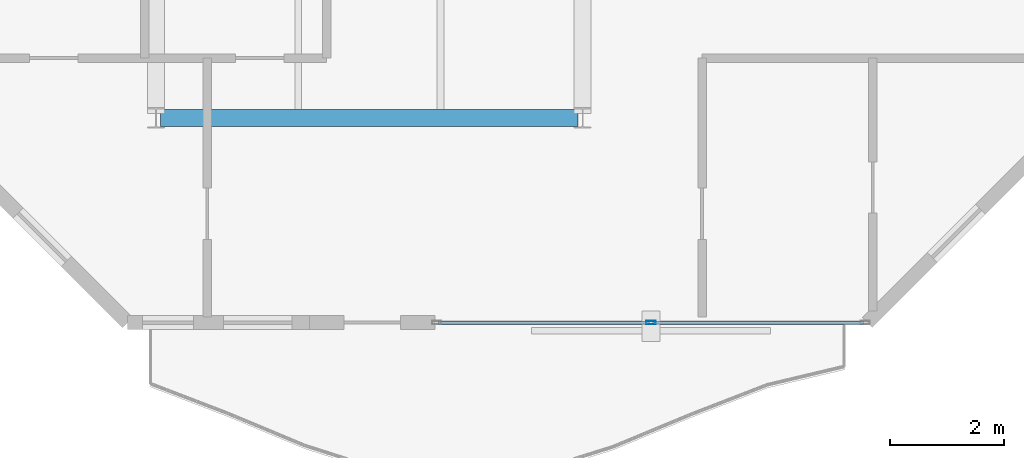
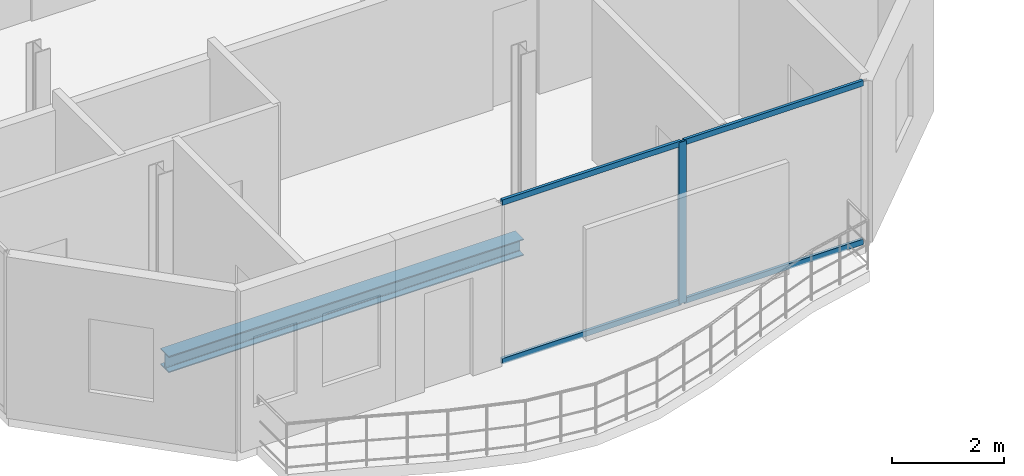
# One storey, part 4 of 22: 5 members, 1 beam, 1 element without a shape of its own.
"""IFC4 building model written with IfcOpenShell, lengths in metres."""

from ifc_helpers import new_model, si_unit, direction, frame, origin, origin_2d, place, context, subcontext, project, spatial, hollow_rectangle, i_section, extrude, material, layer, layer_set, material_profile, profile_set, type_object, element, aggregate, save


model = new_model("IFC4")

# Units and contexts
model_context = context("Model", 3, precision=1e-05, world=origin(), true_north=direction((0.0, 1.0)))
body_context = subcontext(model_context, "Body", "Model", "MODEL_VIEW")
ifc_project = project(units=[si_unit("LENGTHUNIT", "METRE"), si_unit("AREAUNIT", "SQUARE_METRE"), si_unit("VOLUMEUNIT", "CUBIC_METRE"), si_unit("PLANEANGLEUNIT", "RADIAN"), si_unit("MASSUNIT", "GRAM", prefix="KILO")], contexts=[model_context])

# Site, building, storey
site_placement = place(None, origin())
site = spatial("IfcSite", under=ifc_project, at=site_placement, CompositionType="ELEMENT")
building_placement = place(site_placement, origin())
building = spatial("IfcBuilding", under=site, at=building_placement, Name="Catumbela Crestline Tower", CompositionType="ELEMENT")
storey_placement = place(building_placement, frame((0.0, 0.0, 260.2)))
storey = spatial("IfcBuildingStorey", under=building, at=storey_placement, Name="L67", CompositionType="ELEMENT", Elevation=260.2)

# Beam
ifc_material_1 = material(Name="Structural steel S355J2", Category="steel")
ifc_material_profile_1 = material_profile(ifc_material_1, i_section(OverallWidth=0.3, OverallDepth=0.36, WebThickness=0.0125, FlangeThickness=0.0225, FilletRadius=0.027, at=origin_2d()), Name="HEB 360")
ifc_profile_set_1 = profile_set([ifc_material_profile_1], Name="Structural steel S355J2")
beam_type = type_object("IfcBeamType", Name="BG-HEB360", PredefinedType="BEAM", material=ifc_profile_set_1)
beam_placement = place(storey_placement, frame((8.58, 13.6, -0.44), z_axis=(1.0, 0.0, 0.0), x_axis=(0.0, 1.0, 0.0)))
element("IfcBeam", 1, at=beam_placement, inside=storey, type_object=beam_type, Name="L67 Beam BM-L67-WEW27", PredefinedType="BEAM", context=body_context, shape_type="SweptSolid", body=[
    extrude(i_section(OverallWidth=0.3, OverallDepth=0.36, WebThickness=0.0125, FlangeThickness=0.0225, FilletRadius=0.027, at=origin_2d()), origin(), (0.0, 0.0, 1.0), 7.34),
])

# Curtain wall, members
ifc_material_2 = material(Name="Aluminium alloy AW-6060-T66", Category="aluminium")
ifc_layer = layer(ifc_material_2, 0.18, Name="Aluminium alloy AW-6060-T66")
ifc_layer_set = layer_set([ifc_layer], Name="Aluminium alloy AW-6060-T66")
curtain_wall_type = type_object("IfcCurtainWallType", Name="CWU-Z4", PredefinedType="USERDEFINED", material=ifc_layer_set)
curtain_wall_placement = place(storey_placement, origin())
curtain_wall = element("IfcCurtainWall", 2, at=curtain_wall_placement, inside=storey, type_object=curtain_wall_type, Name="L67 Unitised Curtain Wall CW-L67-E0S2", ObjectType="UNITISED", PredefinedType="USERDEFINED")
ifc_material_profile_2 = material_profile(ifc_material_2, hollow_rectangle(XDim=0.06, YDim=0.16, WallThickness=0.004, at=origin_2d()), Name="ALU 160x60x4")
ifc_profile_set_2 = profile_set([ifc_material_profile_2], Name="Aluminium alloy AW-6060-T66")
member_type_1 = type_object("IfcMemberType", Name="MUL-160X60", PredefinedType="MULLION", material=ifc_profile_set_2)
member_1_placement = place(storey_placement, frame((17.2, 10.0, 0.0), z_axis=(0.0, 0.0, 1.0), x_axis=(0.0, 1.0, 0.0)))
member_1 = element("IfcMember", 3, at=member_1_placement, type_object=member_type_1, Name="CWU-Z4 mullion 2", PredefinedType="MULLION", context=body_context, shape_type="SweptSolid", body=[
    extrude(hollow_rectangle(XDim=0.06, YDim=0.16, WallThickness=0.004, at=origin_2d()), origin(), (0.0, 0.0, 1.0), 3.53),
])
ifc_material_profile_3 = material_profile(ifc_material_2, hollow_rectangle(XDim=0.06, YDim=0.12, WallThickness=0.0035, at=origin_2d()), Name="ALU 120x60x3.5")
ifc_profile_set_3 = profile_set([ifc_material_profile_3], Name="Aluminium alloy AW-6060-T66")
member_type_2 = type_object("IfcMemberType", Name="TRN-120X60", PredefinedType="USERDEFINED", material=ifc_profile_set_3)
member_2_placement = place(storey_placement, frame((13.465, 10.0, 0.03), z_axis=(1.0, 0.0, 0.0), x_axis=(0.0, 1.0, 0.0)))
member_2 = element("IfcMember", 4, at=member_2_placement, type_object=member_type_2, Name="CWU-Z4 transom 1.1", ObjectType="TRANSOM", PredefinedType="USERDEFINED", context=body_context, shape_type="SweptSolid", body=[
    extrude(hollow_rectangle(XDim=0.06, YDim=0.12, WallThickness=0.0035, at=origin_2d()), origin(), (0.0, 0.0, 1.0), 3.7025),
])
member_3_placement = place(storey_placement, frame((13.465, 10.0, 3.5), z_axis=(1.0, 0.0, 0.0), x_axis=(0.0, 1.0, 0.0)))
member_3 = element("IfcMember", 5, at=member_3_placement, type_object=member_type_2, Name="CWU-Z4 transom 1.2", ObjectType="TRANSOM", PredefinedType="USERDEFINED", context=body_context, shape_type="SweptSolid", body=[
    extrude(hollow_rectangle(XDim=0.06, YDim=0.12, WallThickness=0.0035, at=origin_2d()), origin(), (0.0, 0.0, 1.0), 3.7025),
])
member_4_placement = place(storey_placement, frame((17.2325, 10.0, 0.03), z_axis=(1.0, 0.0, 0.0), x_axis=(0.0, 1.0, 0.0)))
member_4 = element("IfcMember", 6, at=member_4_placement, type_object=member_type_2, Name="CWU-Z4 transom 2.1", ObjectType="TRANSOM", PredefinedType="USERDEFINED", context=body_context, shape_type="SweptSolid", body=[
    extrude(hollow_rectangle(XDim=0.06, YDim=0.12, WallThickness=0.0035, at=origin_2d()), origin(), (0.0, 0.0, 1.0), 3.7025),
])
member_5_placement = place(storey_placement, frame((17.2325, 10.0, 3.5), z_axis=(1.0, 0.0, 0.0), x_axis=(0.0, 1.0, 0.0)))
member_5 = element("IfcMember", 7, at=member_5_placement, type_object=member_type_2, Name="CWU-Z4 transom 2.2", ObjectType="TRANSOM", PredefinedType="USERDEFINED", context=body_context, shape_type="SweptSolid", body=[
    extrude(hollow_rectangle(XDim=0.06, YDim=0.12, WallThickness=0.0035, at=origin_2d()), origin(), (0.0, 0.0, 1.0), 3.7025),
])
aggregate(curtain_wall, [member_1, member_2, member_3, member_4, member_5])

save(model, "model.ifc")
